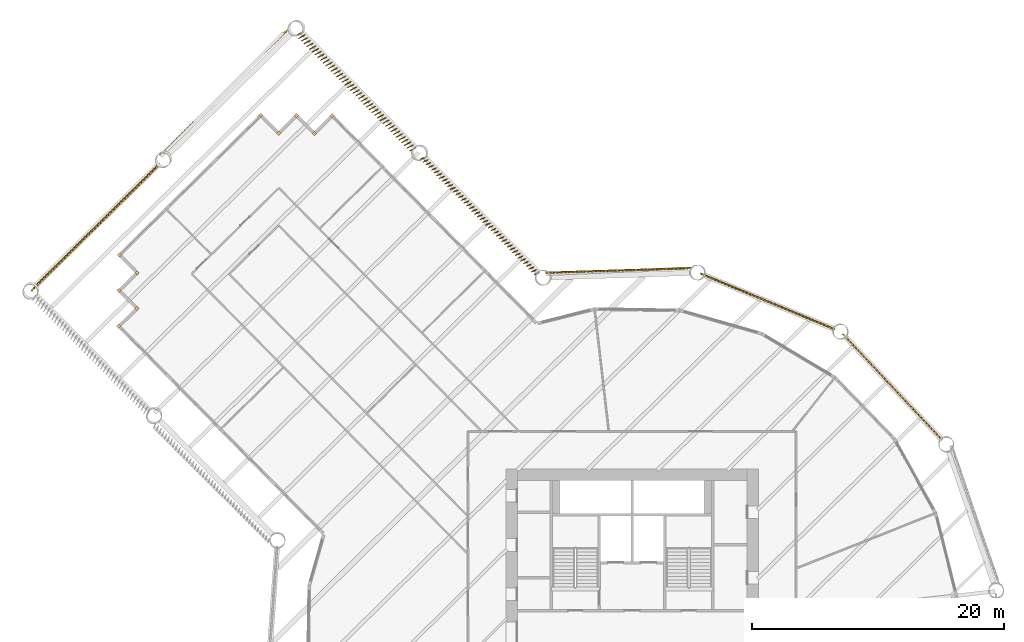
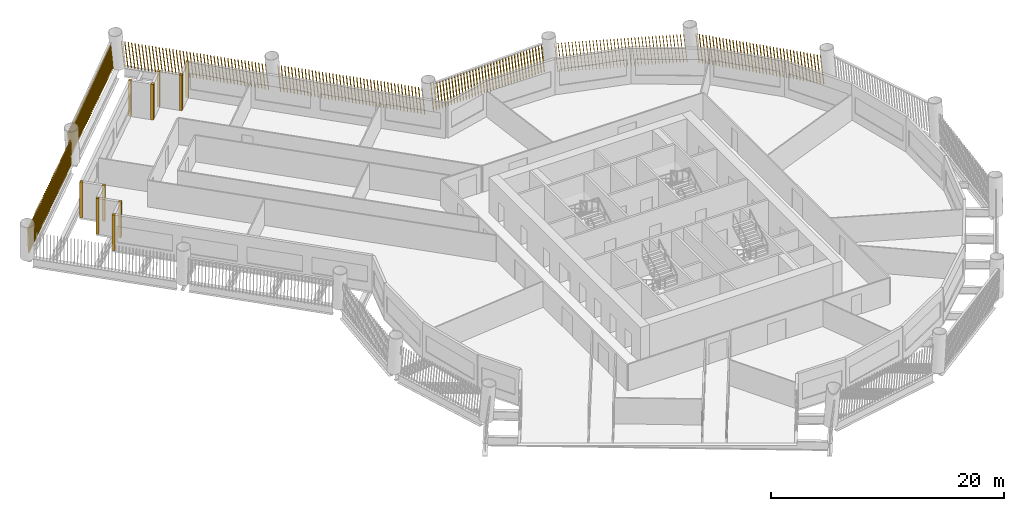
# One storey, part 14 of 15: 17 shading devices.
"""IFC4 building model written with IfcOpenShell, lengths in metres."""

from ifc_helpers import new_model, si_unit, direction, frame, frame_2d, origin, origin_2d, place, context, subcontext, project, spatial, rectangle, composite_profile, extrude, material, type_object, element, save


model = new_model("IFC4")

# Units and contexts
model_context = context("Model", 3, precision=1e-05, world=origin(), true_north=direction((0.0, 1.0)))
body_context = subcontext(model_context, "Body", "Model", "MODEL_VIEW")
ifc_project = project(units=[si_unit("LENGTHUNIT", "METRE"), si_unit("AREAUNIT", "SQUARE_METRE"), si_unit("VOLUMEUNIT", "CUBIC_METRE"), si_unit("PLANEANGLEUNIT", "RADIAN"), si_unit("MASSUNIT", "GRAM", prefix="KILO")], contexts=[model_context])

# Site, building, storey
site_placement = place(None, origin())
site = spatial("IfcSite", under=ifc_project, at=site_placement, CompositionType="ELEMENT")
building_placement = place(site_placement, origin())
building = spatial("IfcBuilding", under=site, at=building_placement, Name="Tarsis Ring Headquarters", CompositionType="ELEMENT")
storey_placement = place(building_placement, frame((0.0, 0.0, 75.10009765625)))
storey = spatial("IfcBuildingStorey", under=building, at=storey_placement, Name="L16", CompositionType="ELEMENT", Elevation=75.10009765625)

# Shading devices
ifc_material = material(Name="Terracotta baguette", Category="masonry")
shading_device_type_1 = type_object("IfcShadingDeviceType", Name="Terracotta baguette screen", PredefinedType="USERDEFINED", material=ifc_material)
shading_device_1_placement = place(storey_placement, frame((24.57275390625, 15.301025390625, 0.0), z_axis=(0.0, 0.0, 1.0), x_axis=(-0.683450895279, 0.730005425936, 0.0)))
element("IfcShadingDevice", 1, at=shading_device_1_placement, inside=storey, type_object=shading_device_type_1, Name="Baguette screen L16-12", ObjectType="Terracotta baguette screen", PredefinedType="USERDEFINED", context=body_context, shape_type="SweptSolid", body=[
    extrude(composite_profile([rectangle(XDim=0.06005859375, YDim=0.1201171875, at=frame_2d((0.030029296875, 0.0))), rectangle(XDim=0.06005859375, YDim=0.1201171875, at=frame_2d((0.33251953125, 0.0))), rectangle(XDim=0.06005859375, YDim=0.1201171875, at=frame_2d((0.634765625, 0.0))), rectangle(XDim=0.06005859375, YDim=0.1201171875, at=frame_2d((0.937255859375, 0.0))), rectangle(XDim=0.06005859375, YDim=0.1201171875, at=frame_2d((1.239501953125, 0.0))), rectangle(XDim=0.06005859375, YDim=0.1201171875, at=frame_2d((1.5419921875, 0.0))), rectangle(XDim=0.06005859375, YDim=0.1201171875, at=frame_2d((1.844482421875, 0.0))), rectangle(XDim=0.06005859375, YDim=0.1201171875, at=frame_2d((2.146728515625, 0.0))), rectangle(XDim=0.06005859375, YDim=0.1201171875, at=frame_2d((2.44921875, 0.0))), rectangle(XDim=0.06005859375, YDim=0.1201171875, at=frame_2d((2.751708984375, 0.0))), rectangle(XDim=0.06005859375, YDim=0.1201171875, at=frame_2d((3.053955078125, 0.0))), rectangle(XDim=0.06005859375, YDim=0.1201171875, at=frame_2d((3.3564453125, 0.0))), rectangle(XDim=0.06005859375, YDim=0.1201171875, at=frame_2d((3.65869140625, 0.0))), rectangle(XDim=0.06005859375, YDim=0.1201171875, at=frame_2d((3.961181640625, 0.0))), rectangle(XDim=0.06005859375, YDim=0.1201171875, at=frame_2d((4.263671875, 0.0))), rectangle(XDim=0.06005859375, YDim=0.1201171875, at=frame_2d((4.56591796875, 0.0))), rectangle(XDim=0.06005859375, YDim=0.1201171875, at=frame_2d((4.868408203125, 0.0))), rectangle(XDim=0.06005859375, YDim=0.1201171875, at=frame_2d((5.1708984375, 0.0))), rectangle(XDim=0.06005859375, YDim=0.1201171875, at=frame_2d((5.47314453125, 0.0))), rectangle(XDim=0.06005859375, YDim=0.1201171875, at=frame_2d((5.775634765625, 0.0))), rectangle(XDim=0.06005859375, YDim=0.1201171875, at=frame_2d((6.077880859375, 0.0))), rectangle(XDim=0.06005859375, YDim=0.1201171875, at=frame_2d((6.38037109375, 0.0))), rectangle(XDim=0.06005859375, YDim=0.1201171875, at=frame_2d((6.682861328125, 0.0))), rectangle(XDim=0.06005859375, YDim=0.1201171875, at=frame_2d((6.985107421875, 0.0))), rectangle(XDim=0.06005859375, YDim=0.1201171875, at=frame_2d((7.28759765625, 0.0))), rectangle(XDim=0.06005859375, YDim=0.1201171875, at=frame_2d((7.590087890625, 0.0))), rectangle(XDim=0.06005859375, YDim=0.1201171875, at=frame_2d((7.892333984375, 0.0))), rectangle(XDim=0.06005859375, YDim=0.1201171875, at=frame_2d((8.19482421875, 0.0))), rectangle(XDim=0.06005859375, YDim=0.1201171875, at=frame_2d((8.4970703125, 0.0))), rectangle(XDim=0.06005859375, YDim=0.1201171875, at=frame_2d((8.799560546875, 0.0))), rectangle(XDim=0.06005859375, YDim=0.1201171875, at=frame_2d((9.10205078125, 0.0))), rectangle(XDim=0.06005859375, YDim=0.1201171875, at=frame_2d((9.404296875, 0.0))), rectangle(XDim=0.06005859375, YDim=0.1201171875, at=frame_2d((9.706787109375, 0.0))), rectangle(XDim=0.06005859375, YDim=0.1201171875, at=frame_2d((10.00927734375, 0.0))), rectangle(XDim=0.06005859375, YDim=0.1201171875, at=frame_2d((10.3115234375, 0.0))), rectangle(XDim=0.06005859375, YDim=0.1201171875, at=frame_2d((10.614013671875, 0.0))), rectangle(XDim=0.06005859375, YDim=0.1201171875, at=frame_2d((10.916259765625, 0.0))), rectangle(XDim=0.06005859375, YDim=0.1201171875, at=frame_2d((11.21875, 0.0)))]), origin(), (0.100209079289, 0.000525010335, 0.994966263143), 2.96728515625),
])
shading_device_2_placement = place(storey_placement, frame((16.081298828125, 24.0693359375, 0.0), z_axis=(0.0, 0.0, 1.0), x_axis=(-0.923582776283, 0.383388314958, 0.0)))
element("IfcShadingDevice", 2, at=shading_device_2_placement, inside=storey, type_object=shading_device_type_1, Name="Baguette screen L16-13", ObjectType="Terracotta baguette screen", PredefinedType="USERDEFINED", context=body_context, shape_type="SweptSolid", body=[
    extrude(composite_profile([rectangle(XDim=0.06005859375, YDim=0.1201171875, at=frame_2d((0.030029296875, 0.0))), rectangle(XDim=0.06005859375, YDim=0.1201171875, at=frame_2d((0.33251953125, 0.0))), rectangle(XDim=0.06005859375, YDim=0.1201171875, at=frame_2d((0.634765625, 0.0))), rectangle(XDim=0.06005859375, YDim=0.1201171875, at=frame_2d((0.937255859375, 0.0))), rectangle(XDim=0.06005859375, YDim=0.1201171875, at=frame_2d((1.239501953125, 0.0))), rectangle(XDim=0.06005859375, YDim=0.1201171875, at=frame_2d((1.5419921875, 0.0))), rectangle(XDim=0.06005859375, YDim=0.1201171875, at=frame_2d((1.844482421875, 0.0))), rectangle(XDim=0.06005859375, YDim=0.1201171875, at=frame_2d((2.146728515625, 0.0))), rectangle(XDim=0.06005859375, YDim=0.1201171875, at=frame_2d((2.44921875, 0.0))), rectangle(XDim=0.06005859375, YDim=0.1201171875, at=frame_2d((2.751708984375, 0.0))), rectangle(XDim=0.06005859375, YDim=0.1201171875, at=frame_2d((3.053955078125, 0.0))), rectangle(XDim=0.06005859375, YDim=0.1201171875, at=frame_2d((3.3564453125, 0.0))), rectangle(XDim=0.06005859375, YDim=0.1201171875, at=frame_2d((3.65869140625, 0.0))), rectangle(XDim=0.06005859375, YDim=0.1201171875, at=frame_2d((3.961181640625, 0.0))), rectangle(XDim=0.06005859375, YDim=0.1201171875, at=frame_2d((4.263671875, 0.0))), rectangle(XDim=0.06005859375, YDim=0.1201171875, at=frame_2d((4.56591796875, 0.0))), rectangle(XDim=0.06005859375, YDim=0.1201171875, at=frame_2d((4.868408203125, 0.0))), rectangle(XDim=0.06005859375, YDim=0.1201171875, at=frame_2d((5.1708984375, 0.0))), rectangle(XDim=0.06005859375, YDim=0.1201171875, at=frame_2d((5.47314453125, 0.0))), rectangle(XDim=0.06005859375, YDim=0.1201171875, at=frame_2d((5.775634765625, 0.0))), rectangle(XDim=0.06005859375, YDim=0.1201171875, at=frame_2d((6.077880859375, 0.0))), rectangle(XDim=0.06005859375, YDim=0.1201171875, at=frame_2d((6.38037109375, 0.0))), rectangle(XDim=0.06005859375, YDim=0.1201171875, at=frame_2d((6.682861328125, 0.0))), rectangle(XDim=0.06005859375, YDim=0.1201171875, at=frame_2d((6.985107421875, 0.0))), rectangle(XDim=0.06005859375, YDim=0.1201171875, at=frame_2d((7.28759765625, 0.0))), rectangle(XDim=0.06005859375, YDim=0.1201171875, at=frame_2d((7.590087890625, 0.0))), rectangle(XDim=0.06005859375, YDim=0.1201171875, at=frame_2d((7.892333984375, 0.0))), rectangle(XDim=0.06005859375, YDim=0.1201171875, at=frame_2d((8.19482421875, 0.0))), rectangle(XDim=0.06005859375, YDim=0.1201171875, at=frame_2d((8.4970703125, 0.0))), rectangle(XDim=0.06005859375, YDim=0.1201171875, at=frame_2d((8.799560546875, 0.0))), rectangle(XDim=0.06005859375, YDim=0.1201171875, at=frame_2d((9.10205078125, 0.0))), rectangle(XDim=0.06005859375, YDim=0.1201171875, at=frame_2d((9.404296875, 0.0))), rectangle(XDim=0.06005859375, YDim=0.1201171875, at=frame_2d((9.706787109375, 0.0))), rectangle(XDim=0.06005859375, YDim=0.1201171875, at=frame_2d((10.00927734375, 0.0))), rectangle(XDim=0.06005859375, YDim=0.1201171875, at=frame_2d((10.3115234375, 0.0))), rectangle(XDim=0.06005859375, YDim=0.1201171875, at=frame_2d((10.614013671875, 0.0))), rectangle(XDim=0.06005859375, YDim=0.1201171875, at=frame_2d((10.916259765625, 0.0))), rectangle(XDim=0.06005859375, YDim=0.1201171875, at=frame_2d((11.21875, 0.0)))]), origin(), (0.10020805016, 0.000524905631, 0.994966366847), 2.96728515625),
])
shading_device_3_placement = place(storey_placement, frame((4.718505859375, 28.932861328125, 0.0), z_axis=(0.0, 0.0, 1.0), x_axis=(-0.99950081389, -0.031383613673, 0.0)))
element("IfcShadingDevice", 3, at=shading_device_3_placement, inside=storey, type_object=shading_device_type_1, Name="Baguette screen L16-14", ObjectType="Terracotta baguette screen", PredefinedType="USERDEFINED", context=body_context, shape_type="SweptSolid", body=[
    extrude(composite_profile([rectangle(XDim=0.06005859375, YDim=0.1201171875, at=frame_2d((0.030029296875, 0.0))), rectangle(XDim=0.06005859375, YDim=0.1201171875, at=frame_2d((0.33251953125, 0.0))), rectangle(XDim=0.06005859375, YDim=0.1201171875, at=frame_2d((0.634765625, 0.0))), rectangle(XDim=0.06005859375, YDim=0.1201171875, at=frame_2d((0.937255859375, 0.0))), rectangle(XDim=0.06005859375, YDim=0.1201171875, at=frame_2d((1.239501953125, 0.0))), rectangle(XDim=0.06005859375, YDim=0.1201171875, at=frame_2d((1.5419921875, 0.0))), rectangle(XDim=0.06005859375, YDim=0.1201171875, at=frame_2d((1.844482421875, 0.0))), rectangle(XDim=0.06005859375, YDim=0.1201171875, at=frame_2d((2.146728515625, 0.0))), rectangle(XDim=0.06005859375, YDim=0.1201171875, at=frame_2d((2.44921875, 0.0))), rectangle(XDim=0.06005859375, YDim=0.1201171875, at=frame_2d((2.751708984375, 0.0))), rectangle(XDim=0.06005859375, YDim=0.1201171875, at=frame_2d((3.053955078125, 0.0))), rectangle(XDim=0.06005859375, YDim=0.1201171875, at=frame_2d((3.3564453125, 0.0))), rectangle(XDim=0.06005859375, YDim=0.1201171875, at=frame_2d((3.65869140625, 0.0))), rectangle(XDim=0.06005859375, YDim=0.1201171875, at=frame_2d((3.961181640625, 0.0))), rectangle(XDim=0.06005859375, YDim=0.1201171875, at=frame_2d((4.263671875, 0.0))), rectangle(XDim=0.06005859375, YDim=0.1201171875, at=frame_2d((4.56591796875, 0.0))), rectangle(XDim=0.06005859375, YDim=0.1201171875, at=frame_2d((4.868408203125, 0.0))), rectangle(XDim=0.06005859375, YDim=0.1201171875, at=frame_2d((5.1708984375, 0.0))), rectangle(XDim=0.06005859375, YDim=0.1201171875, at=frame_2d((5.47314453125, 0.0))), rectangle(XDim=0.06005859375, YDim=0.1201171875, at=frame_2d((5.775634765625, 0.0))), rectangle(XDim=0.06005859375, YDim=0.1201171875, at=frame_2d((6.077880859375, 0.0))), rectangle(XDim=0.06005859375, YDim=0.1201171875, at=frame_2d((6.38037109375, 0.0))), rectangle(XDim=0.06005859375, YDim=0.1201171875, at=frame_2d((6.682861328125, 0.0))), rectangle(XDim=0.06005859375, YDim=0.1201171875, at=frame_2d((6.985107421875, 0.0))), rectangle(XDim=0.06005859375, YDim=0.1201171875, at=frame_2d((7.28759765625, 0.0))), rectangle(XDim=0.06005859375, YDim=0.1201171875, at=frame_2d((7.590087890625, 0.0))), rectangle(XDim=0.06005859375, YDim=0.1201171875, at=frame_2d((7.892333984375, 0.0))), rectangle(XDim=0.06005859375, YDim=0.1201171875, at=frame_2d((8.19482421875, 0.0))), rectangle(XDim=0.06005859375, YDim=0.1201171875, at=frame_2d((8.4970703125, 0.0))), rectangle(XDim=0.06005859375, YDim=0.1201171875, at=frame_2d((8.799560546875, 0.0))), rectangle(XDim=0.06005859375, YDim=0.1201171875, at=frame_2d((9.10205078125, 0.0))), rectangle(XDim=0.06005859375, YDim=0.1201171875, at=frame_2d((9.404296875, 0.0))), rectangle(XDim=0.06005859375, YDim=0.1201171875, at=frame_2d((9.706787109375, 0.0))), rectangle(XDim=0.06005859375, YDim=0.1201171875, at=frame_2d((10.00927734375, 0.0))), rectangle(XDim=0.06005859375, YDim=0.1201171875, at=frame_2d((10.3115234375, 0.0))), rectangle(XDim=0.06005859375, YDim=0.1201171875, at=frame_2d((10.614013671875, 0.0))), rectangle(XDim=0.06005859375, YDim=0.1201171875, at=frame_2d((10.916259765625, 0.0))), rectangle(XDim=0.06005859375, YDim=0.1201171875, at=frame_2d((11.21875, 0.0)))]), origin(), (0.101517812605, 0.000531883056, 0.994833579462), 2.9677734375),
])
shading_device_4_placement = place(storey_placement, frame((-7.36376953125, 28.54541015625, 0.0), z_axis=(0.0, 0.0, 1.0), x_axis=(-0.702145776567, 0.712023160763, 0.0)))
element("IfcShadingDevice", 4, at=shading_device_4_placement, inside=storey, type_object=shading_device_type_1, Name="Baguette screen L16-15", ObjectType="Terracotta baguette screen", PredefinedType="USERDEFINED", context=body_context, shape_type="SweptSolid", body=[
    extrude(composite_profile([rectangle(XDim=0.06005859375, YDim=0.1201171875, at=frame_2d((0.030029296875, 0.0))), rectangle(XDim=0.06005859375, YDim=0.1201171875, at=frame_2d((0.335693359375, 0.0))), rectangle(XDim=0.06005859375, YDim=0.1201171875, at=frame_2d((0.6416015625, 0.0))), rectangle(XDim=0.06005859375, YDim=0.1201171875, at=frame_2d((0.947265625, 0.0))), rectangle(XDim=0.06005859375, YDim=0.1201171875, at=frame_2d((1.253173828125, 0.0))), rectangle(XDim=0.06005859375, YDim=0.1201171875, at=frame_2d((1.558837890625, 0.0))), rectangle(XDim=0.06005859375, YDim=0.1201171875, at=frame_2d((1.864501953125, 0.0))), rectangle(XDim=0.06005859375, YDim=0.1201171875, at=frame_2d((2.17041015625, 0.0))), rectangle(XDim=0.06005859375, YDim=0.1201171875, at=frame_2d((2.47607421875, 0.0))), rectangle(XDim=0.06005859375, YDim=0.1201171875, at=frame_2d((2.781982421875, 0.0))), rectangle(XDim=0.06005859375, YDim=0.1201171875, at=frame_2d((3.087646484375, 0.0))), rectangle(XDim=0.06005859375, YDim=0.1201171875, at=frame_2d((3.393310546875, 0.0))), rectangle(XDim=0.06005859375, YDim=0.1201171875, at=frame_2d((3.69921875, 0.0))), rectangle(XDim=0.06005859375, YDim=0.1201171875, at=frame_2d((4.0048828125, 0.0))), rectangle(XDim=0.06005859375, YDim=0.1201171875, at=frame_2d((4.310791015625, 0.0))), rectangle(XDim=0.06005859375, YDim=0.1201171875, at=frame_2d((4.616455078125, 0.0))), rectangle(XDim=0.06005859375, YDim=0.1201171875, at=frame_2d((4.922119140625, 0.0))), rectangle(XDim=0.06005859375, YDim=0.1201171875, at=frame_2d((5.22802734375, 0.0))), rectangle(XDim=0.06005859375, YDim=0.1201171875, at=frame_2d((5.53369140625, 0.0))), rectangle(XDim=0.06005859375, YDim=0.1201171875, at=frame_2d((5.839599609375, 0.0))), rectangle(XDim=0.06005859375, YDim=0.1201171875, at=frame_2d((6.145263671875, 0.0))), rectangle(XDim=0.06005859375, YDim=0.1201171875, at=frame_2d((6.451171875, 0.0))), rectangle(XDim=0.06005859375, YDim=0.1201171875, at=frame_2d((6.7568359375, 0.0))), rectangle(XDim=0.06005859375, YDim=0.1201171875, at=frame_2d((7.0625, 0.0))), rectangle(XDim=0.06005859375, YDim=0.1201171875, at=frame_2d((7.368408203125, 0.0))), rectangle(XDim=0.06005859375, YDim=0.1201171875, at=frame_2d((7.674072265625, 0.0))), rectangle(XDim=0.06005859375, YDim=0.1201171875, at=frame_2d((7.97998046875, 0.0))), rectangle(XDim=0.06005859375, YDim=0.1201171875, at=frame_2d((8.28564453125, 0.0))), rectangle(XDim=0.06005859375, YDim=0.1201171875, at=frame_2d((8.59130859375, 0.0))), rectangle(XDim=0.06005859375, YDim=0.1201171875, at=frame_2d((8.897216796875, 0.0))), rectangle(XDim=0.06005859375, YDim=0.1201171875, at=frame_2d((9.202880859375, 0.0))), rectangle(XDim=0.06005859375, YDim=0.1201171875, at=frame_2d((9.5087890625, 0.0))), rectangle(XDim=0.06005859375, YDim=0.1201171875, at=frame_2d((9.814453125, 0.0))), rectangle(XDim=0.06005859375, YDim=0.1201171875, at=frame_2d((10.1201171875, 0.0))), rectangle(XDim=0.06005859375, YDim=0.1201171875, at=frame_2d((10.426025390625, 0.0))), rectangle(XDim=0.06005859375, YDim=0.1201171875, at=frame_2d((10.731689453125, 0.0))), rectangle(XDim=0.06005859375, YDim=0.1201171875, at=frame_2d((11.03759765625, 0.0))), rectangle(XDim=0.06005859375, YDim=0.1201171875, at=frame_2d((11.34326171875, 0.0))), rectangle(XDim=0.06005859375, YDim=0.1201171875, at=frame_2d((11.64892578125, 0.0))), rectangle(XDim=0.06005859375, YDim=0.1201171875, at=frame_2d((11.954833984375, 0.0))), rectangle(XDim=0.06005859375, YDim=0.1201171875, at=frame_2d((12.260498046875, 0.0))), rectangle(XDim=0.06005859375, YDim=0.1201171875, at=frame_2d((12.56640625, 0.0))), rectangle(XDim=0.06005859375, YDim=0.1201171875, at=frame_2d((12.8720703125, 0.0)))]), origin(), (0.051499873154, 0.112709467144, 0.992292466504), 2.975341796875),
])
shading_device_5_placement = place(storey_placement, frame((-17.125244140625, 38.444091796875, 0.0), z_axis=(0.0, 0.0, 1.0), x_axis=(-0.702145776567, 0.712023160763, 0.0)))
element("IfcShadingDevice", 5, at=shading_device_5_placement, inside=storey, type_object=shading_device_type_1, Name="Baguette screen L16-16", ObjectType="Terracotta baguette screen", PredefinedType="USERDEFINED", context=body_context, shape_type="SweptSolid", body=[
    extrude(composite_profile([rectangle(XDim=0.06005859375, YDim=0.1201171875, at=frame_2d((0.030029296875, 0.0))), rectangle(XDim=0.06005859375, YDim=0.1201171875, at=frame_2d((0.335693359375, 0.0))), rectangle(XDim=0.06005859375, YDim=0.1201171875, at=frame_2d((0.6416015625, 0.0))), rectangle(XDim=0.06005859375, YDim=0.1201171875, at=frame_2d((0.947265625, 0.0))), rectangle(XDim=0.06005859375, YDim=0.1201171875, at=frame_2d((1.253173828125, 0.0))), rectangle(XDim=0.06005859375, YDim=0.1201171875, at=frame_2d((1.558837890625, 0.0))), rectangle(XDim=0.06005859375, YDim=0.1201171875, at=frame_2d((1.864501953125, 0.0))), rectangle(XDim=0.06005859375, YDim=0.1201171875, at=frame_2d((2.17041015625, 0.0))), rectangle(XDim=0.06005859375, YDim=0.1201171875, at=frame_2d((2.47607421875, 0.0))), rectangle(XDim=0.06005859375, YDim=0.1201171875, at=frame_2d((2.781982421875, 0.0))), rectangle(XDim=0.06005859375, YDim=0.1201171875, at=frame_2d((3.087646484375, 0.0))), rectangle(XDim=0.06005859375, YDim=0.1201171875, at=frame_2d((3.393310546875, 0.0))), rectangle(XDim=0.06005859375, YDim=0.1201171875, at=frame_2d((3.69921875, 0.0))), rectangle(XDim=0.06005859375, YDim=0.1201171875, at=frame_2d((4.0048828125, 0.0))), rectangle(XDim=0.06005859375, YDim=0.1201171875, at=frame_2d((4.310791015625, 0.0))), rectangle(XDim=0.06005859375, YDim=0.1201171875, at=frame_2d((4.616455078125, 0.0))), rectangle(XDim=0.06005859375, YDim=0.1201171875, at=frame_2d((4.922119140625, 0.0))), rectangle(XDim=0.06005859375, YDim=0.1201171875, at=frame_2d((5.22802734375, 0.0))), rectangle(XDim=0.06005859375, YDim=0.1201171875, at=frame_2d((5.53369140625, 0.0))), rectangle(XDim=0.06005859375, YDim=0.1201171875, at=frame_2d((5.839599609375, 0.0))), rectangle(XDim=0.06005859375, YDim=0.1201171875, at=frame_2d((6.145263671875, 0.0))), rectangle(XDim=0.06005859375, YDim=0.1201171875, at=frame_2d((6.451171875, 0.0))), rectangle(XDim=0.06005859375, YDim=0.1201171875, at=frame_2d((6.7568359375, 0.0))), rectangle(XDim=0.06005859375, YDim=0.1201171875, at=frame_2d((7.0625, 0.0))), rectangle(XDim=0.06005859375, YDim=0.1201171875, at=frame_2d((7.368408203125, 0.0))), rectangle(XDim=0.06005859375, YDim=0.1201171875, at=frame_2d((7.674072265625, 0.0))), rectangle(XDim=0.06005859375, YDim=0.1201171875, at=frame_2d((7.97998046875, 0.0))), rectangle(XDim=0.06005859375, YDim=0.1201171875, at=frame_2d((8.28564453125, 0.0))), rectangle(XDim=0.06005859375, YDim=0.1201171875, at=frame_2d((8.59130859375, 0.0))), rectangle(XDim=0.06005859375, YDim=0.1201171875, at=frame_2d((8.897216796875, 0.0))), rectangle(XDim=0.06005859375, YDim=0.1201171875, at=frame_2d((9.202880859375, 0.0))), rectangle(XDim=0.06005859375, YDim=0.1201171875, at=frame_2d((9.5087890625, 0.0))), rectangle(XDim=0.06005859375, YDim=0.1201171875, at=frame_2d((9.814453125, 0.0))), rectangle(XDim=0.06005859375, YDim=0.1201171875, at=frame_2d((10.1201171875, 0.0))), rectangle(XDim=0.06005859375, YDim=0.1201171875, at=frame_2d((10.426025390625, 0.0))), rectangle(XDim=0.06005859375, YDim=0.1201171875, at=frame_2d((10.731689453125, 0.0))), rectangle(XDim=0.06005859375, YDim=0.1201171875, at=frame_2d((11.03759765625, 0.0))), rectangle(XDim=0.06005859375, YDim=0.1201171875, at=frame_2d((11.34326171875, 0.0))), rectangle(XDim=0.06005859375, YDim=0.1201171875, at=frame_2d((11.64892578125, 0.0))), rectangle(XDim=0.06005859375, YDim=0.1201171875, at=frame_2d((11.954833984375, 0.0))), rectangle(XDim=0.06005859375, YDim=0.1201171875, at=frame_2d((12.260498046875, 0.0))), rectangle(XDim=0.06005859375, YDim=0.1201171875, at=frame_2d((12.56640625, 0.0))), rectangle(XDim=0.06005859375, YDim=0.1201171875, at=frame_2d((12.8720703125, 0.0)))]), origin(), (0.050903587658, 0.160566992395, 0.98571145155), 2.9951171875),
])
shading_device_6_placement = place(storey_placement, frame((-27.155029296875, 47.90283203125, 0.0), z_axis=(0.0, 0.0, 1.0), x_axis=(-0.712021229544, -0.702149491375, 0.0)))
element("IfcShadingDevice", 6, at=shading_device_6_placement, inside=storey, type_object=shading_device_type_1, Name="Baguette screen L16-17", ObjectType="Terracotta baguette screen", PredefinedType="USERDEFINED", context=body_context, shape_type="SweptSolid", body=[
    extrude(composite_profile([rectangle(XDim=0.06005859375, YDim=0.1201171875, at=frame_2d((0.030029296875, 0.0))), rectangle(XDim=0.06005859375, YDim=0.1201171875, at=frame_2d((0.33544921875, 0.0))), rectangle(XDim=0.06005859375, YDim=0.1201171875, at=frame_2d((0.640625, 0.0))), rectangle(XDim=0.06005859375, YDim=0.1201171875, at=frame_2d((0.946044921875, 0.0))), rectangle(XDim=0.06005859375, YDim=0.1201171875, at=frame_2d((1.25146484375, 0.0))), rectangle(XDim=0.06005859375, YDim=0.1201171875, at=frame_2d((1.556640625, 0.0))), rectangle(XDim=0.06005859375, YDim=0.1201171875, at=frame_2d((1.862060546875, 0.0))), rectangle(XDim=0.06005859375, YDim=0.1201171875, at=frame_2d((2.16748046875, 0.0))), rectangle(XDim=0.06005859375, YDim=0.1201171875, at=frame_2d((2.47265625, 0.0))), rectangle(XDim=0.06005859375, YDim=0.1201171875, at=frame_2d((2.778076171875, 0.0))), rectangle(XDim=0.06005859375, YDim=0.1201171875, at=frame_2d((3.08349609375, 0.0))), rectangle(XDim=0.06005859375, YDim=0.1201171875, at=frame_2d((3.388671875, 0.0))), rectangle(XDim=0.06005859375, YDim=0.1201171875, at=frame_2d((3.694091796875, 0.0))), rectangle(XDim=0.06005859375, YDim=0.1201171875, at=frame_2d((3.99951171875, 0.0))), rectangle(XDim=0.06005859375, YDim=0.1201171875, at=frame_2d((4.3046875, 0.0))), rectangle(XDim=0.06005859375, YDim=0.1201171875, at=frame_2d((4.610107421875, 0.0))), rectangle(XDim=0.06005859375, YDim=0.1201171875, at=frame_2d((4.91552734375, 0.0))), rectangle(XDim=0.06005859375, YDim=0.1201171875, at=frame_2d((5.220703125, 0.0))), rectangle(XDim=0.06005859375, YDim=0.1201171875, at=frame_2d((5.526123046875, 0.0))), rectangle(XDim=0.06005859375, YDim=0.1201171875, at=frame_2d((5.83154296875, 0.0))), rectangle(XDim=0.06005859375, YDim=0.1201171875, at=frame_2d((6.13671875, 0.0))), rectangle(XDim=0.06005859375, YDim=0.1201171875, at=frame_2d((6.442138671875, 0.0))), rectangle(XDim=0.06005859375, YDim=0.1201171875, at=frame_2d((6.74755859375, 0.0))), rectangle(XDim=0.06005859375, YDim=0.1201171875, at=frame_2d((7.052734375, 0.0))), rectangle(XDim=0.06005859375, YDim=0.1201171875, at=frame_2d((7.358154296875, 0.0))), rectangle(XDim=0.06005859375, YDim=0.1201171875, at=frame_2d((7.66357421875, 0.0))), rectangle(XDim=0.06005859375, YDim=0.1201171875, at=frame_2d((7.96875, 0.0))), rectangle(XDim=0.06005859375, YDim=0.1201171875, at=frame_2d((8.274169921875, 0.0))), rectangle(XDim=0.06005859375, YDim=0.1201171875, at=frame_2d((8.57958984375, 0.0))), rectangle(XDim=0.06005859375, YDim=0.1201171875, at=frame_2d((8.884765625, 0.0))), rectangle(XDim=0.06005859375, YDim=0.1201171875, at=frame_2d((9.190185546875, 0.0))), rectangle(XDim=0.06005859375, YDim=0.1201171875, at=frame_2d((9.49560546875, 0.0))), rectangle(XDim=0.06005859375, YDim=0.1201171875, at=frame_2d((9.80078125, 0.0))), rectangle(XDim=0.06005859375, YDim=0.1201171875, at=frame_2d((10.106201171875, 0.0))), rectangle(XDim=0.06005859375, YDim=0.1201171875, at=frame_2d((10.41162109375, 0.0))), rectangle(XDim=0.06005859375, YDim=0.1201171875, at=frame_2d((10.716796875, 0.0))), rectangle(XDim=0.06005859375, YDim=0.1201171875, at=frame_2d((11.022216796875, 0.0))), rectangle(XDim=0.06005859375, YDim=0.1201171875, at=frame_2d((11.32763671875, 0.0))), rectangle(XDim=0.06005859375, YDim=0.1201171875, at=frame_2d((11.6328125, 0.0))), rectangle(XDim=0.06005859375, YDim=0.1201171875, at=frame_2d((11.938232421875, 0.0))), rectangle(XDim=0.06005859375, YDim=0.1201171875, at=frame_2d((12.24365234375, 0.0))), rectangle(XDim=0.06005859375, YDim=0.1201171875, at=frame_2d((12.548828125, 0.0))), rectangle(XDim=0.06005859375, YDim=0.1201171875, at=frame_2d((12.854248046875, 0.0))), rectangle(XDim=0.06005859375, YDim=0.1201171875, at=frame_2d((13.15966796875, 0.0))), rectangle(XDim=0.06005859375, YDim=0.1201171875, at=frame_2d((13.46484375, 0.0))), rectangle(XDim=0.06005859375, YDim=0.1201171875, at=frame_2d((13.770263671875, 0.0)))]), origin(), (0.185409999712, -0.024813528015, 0.982347912317), 3.00537109375),
])
shading_device_7_placement = place(storey_placement, frame((-37.4296875, 37.243896484375, 0.0), z_axis=(0.0, 0.0, 1.0), x_axis=(-0.712021229544, -0.702149491375, 0.0)))
element("IfcShadingDevice", 7, at=shading_device_7_placement, inside=storey, type_object=shading_device_type_1, Name="Baguette screen L16-18", ObjectType="Terracotta baguette screen", PredefinedType="USERDEFINED", context=body_context, shape_type="SweptSolid", body=[
    extrude(composite_profile([rectangle(XDim=0.06005859375, YDim=0.1201171875, at=frame_2d((0.030029296875, 0.0))), rectangle(XDim=0.06005859375, YDim=0.1201171875, at=frame_2d((0.33544921875, 0.0))), rectangle(XDim=0.06005859375, YDim=0.1201171875, at=frame_2d((0.640625, 0.0))), rectangle(XDim=0.06005859375, YDim=0.1201171875, at=frame_2d((0.946044921875, 0.0))), rectangle(XDim=0.06005859375, YDim=0.1201171875, at=frame_2d((1.25146484375, 0.0))), rectangle(XDim=0.06005859375, YDim=0.1201171875, at=frame_2d((1.556640625, 0.0))), rectangle(XDim=0.06005859375, YDim=0.1201171875, at=frame_2d((1.862060546875, 0.0))), rectangle(XDim=0.06005859375, YDim=0.1201171875, at=frame_2d((2.16748046875, 0.0))), rectangle(XDim=0.06005859375, YDim=0.1201171875, at=frame_2d((2.47265625, 0.0))), rectangle(XDim=0.06005859375, YDim=0.1201171875, at=frame_2d((2.778076171875, 0.0))), rectangle(XDim=0.06005859375, YDim=0.1201171875, at=frame_2d((3.08349609375, 0.0))), rectangle(XDim=0.06005859375, YDim=0.1201171875, at=frame_2d((3.388671875, 0.0))), rectangle(XDim=0.06005859375, YDim=0.1201171875, at=frame_2d((3.694091796875, 0.0))), rectangle(XDim=0.06005859375, YDim=0.1201171875, at=frame_2d((3.99951171875, 0.0))), rectangle(XDim=0.06005859375, YDim=0.1201171875, at=frame_2d((4.3046875, 0.0))), rectangle(XDim=0.06005859375, YDim=0.1201171875, at=frame_2d((4.610107421875, 0.0))), rectangle(XDim=0.06005859375, YDim=0.1201171875, at=frame_2d((4.91552734375, 0.0))), rectangle(XDim=0.06005859375, YDim=0.1201171875, at=frame_2d((5.220703125, 0.0))), rectangle(XDim=0.06005859375, YDim=0.1201171875, at=frame_2d((5.526123046875, 0.0))), rectangle(XDim=0.06005859375, YDim=0.1201171875, at=frame_2d((5.83154296875, 0.0))), rectangle(XDim=0.06005859375, YDim=0.1201171875, at=frame_2d((6.13671875, 0.0))), rectangle(XDim=0.06005859375, YDim=0.1201171875, at=frame_2d((6.442138671875, 0.0))), rectangle(XDim=0.06005859375, YDim=0.1201171875, at=frame_2d((6.74755859375, 0.0))), rectangle(XDim=0.06005859375, YDim=0.1201171875, at=frame_2d((7.052734375, 0.0))), rectangle(XDim=0.06005859375, YDim=0.1201171875, at=frame_2d((7.358154296875, 0.0))), rectangle(XDim=0.06005859375, YDim=0.1201171875, at=frame_2d((7.66357421875, 0.0))), rectangle(XDim=0.06005859375, YDim=0.1201171875, at=frame_2d((7.96875, 0.0))), rectangle(XDim=0.06005859375, YDim=0.1201171875, at=frame_2d((8.274169921875, 0.0))), rectangle(XDim=0.06005859375, YDim=0.1201171875, at=frame_2d((8.57958984375, 0.0))), rectangle(XDim=0.06005859375, YDim=0.1201171875, at=frame_2d((8.884765625, 0.0))), rectangle(XDim=0.06005859375, YDim=0.1201171875, at=frame_2d((9.190185546875, 0.0))), rectangle(XDim=0.06005859375, YDim=0.1201171875, at=frame_2d((9.49560546875, 0.0))), rectangle(XDim=0.06005859375, YDim=0.1201171875, at=frame_2d((9.80078125, 0.0))), rectangle(XDim=0.06005859375, YDim=0.1201171875, at=frame_2d((10.106201171875, 0.0))), rectangle(XDim=0.06005859375, YDim=0.1201171875, at=frame_2d((10.41162109375, 0.0))), rectangle(XDim=0.06005859375, YDim=0.1201171875, at=frame_2d((10.716796875, 0.0))), rectangle(XDim=0.06005859375, YDim=0.1201171875, at=frame_2d((11.022216796875, 0.0))), rectangle(XDim=0.06005859375, YDim=0.1201171875, at=frame_2d((11.32763671875, 0.0))), rectangle(XDim=0.06005859375, YDim=0.1201171875, at=frame_2d((11.6328125, 0.0))), rectangle(XDim=0.06005859375, YDim=0.1201171875, at=frame_2d((11.938232421875, 0.0))), rectangle(XDim=0.06005859375, YDim=0.1201171875, at=frame_2d((12.24365234375, 0.0))), rectangle(XDim=0.06005859375, YDim=0.1201171875, at=frame_2d((12.548828125, 0.0))), rectangle(XDim=0.06005859375, YDim=0.1201171875, at=frame_2d((12.854248046875, 0.0))), rectangle(XDim=0.06005859375, YDim=0.1201171875, at=frame_2d((13.15966796875, 0.0))), rectangle(XDim=0.06005859375, YDim=0.1201171875, at=frame_2d((13.46484375, 0.0))), rectangle(XDim=0.06005859375, YDim=0.1201171875, at=frame_2d((13.770263671875, 0.0)))]), origin(), (0.183877811152, 0.026753086762, 0.982584969819), 3.004638671875),
])
shading_device_type_2 = type_object("IfcShadingDeviceType", Name="Terracotta corner baguette 250x250", PredefinedType="USERDEFINED", material=ifc_material)
for number, where, z_axis, x_axis, name in (
    (8, (-40.66650390625, 24.326171875, 0.0), (0.0, 0.0, 1.0), (-0.712026045991, -0.702153052995, 0.0), "Corner baguette L16-01"),
    (9, (-23.755859375, 41.002197265625, 0.0), (0.0, 0.0, 1.0), (-0.702153065422, 0.712026033736, 0.0), "Corner baguette L16-32"),
    (10, (-25.179931640625, 39.597900390625, 0.0), (0.0, 0.0, 1.0), (-0.712026045991, -0.702153052995, 0.0), "Corner baguette L16-33"),
    (11, (-26.584228515625, 41.02197265625, 0.0), (0.0, 0.0, 1.0), (-0.702152804451, 0.712026291089, 0.0), "Corner baguette L16-34"),
    (12, (-28.00830078125, 39.61767578125, 0.0), (0.0, 0.0, 1.0), (-0.712026045991, -0.702153052995, 0.0), "Corner baguette L16-35"),
    (13, (-29.41259765625, 41.041748046875, 0.0), (0.0, 0.0, 1.0), (-0.702153301539, 0.712025800893, 0.0), "Corner baguette L16-36"),
    (14, (-40.627197265625, 29.98291015625, 0.0), (0.0, 0.0, 1.0), (-0.712026082756, -0.702153015714, 0.0), "Corner baguette L16-37"),
    (15, (-39.222900390625, 28.558837890625, 0.0), (0.0, 0.0, 1.0), (0.702152804451, -0.712026291089, 0.0), "Corner baguette L16-38"),
    (16, (-40.646728515625, 27.154541015625, 0.0), (0.0, 0.0, 1.0), (-0.712026045991, -0.702153052995, 0.0), "Corner baguette L16-39"),
    (17, (-39.242431640625, 25.73046875, 0.0), (0.0, 0.0, 1.0), (0.702153301539, -0.712025800893, 0.0), "Corner baguette L16-40"),
):
    element("IfcShadingDevice", number, at=place(storey_placement, frame(where, z_axis=z_axis, x_axis=x_axis)), inside=storey, type_object=shading_device_type_2, Name=name, ObjectType="Terracotta corner baguette", PredefinedType="USERDEFINED", context=body_context, shape_type="SweptSolid", body=[
        extrude(rectangle(XDim=0.25, YDim=0.25, at=origin_2d()), origin(), (0.0, 0.0, 1.0), 3.739990234375),
    ])

save(model, "model.ifc")
